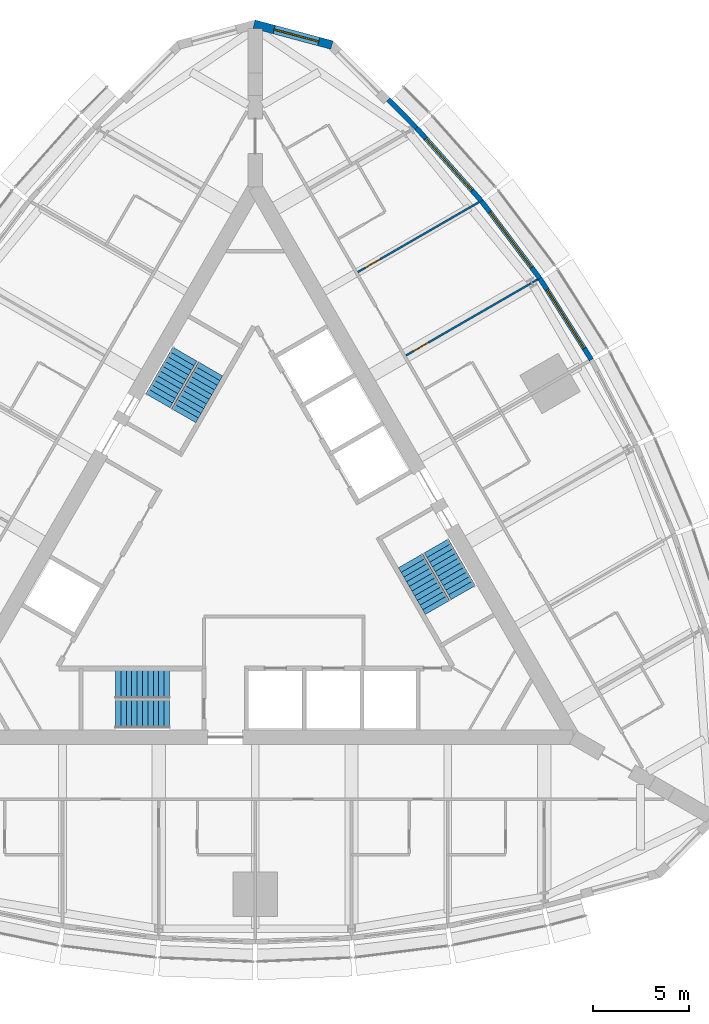
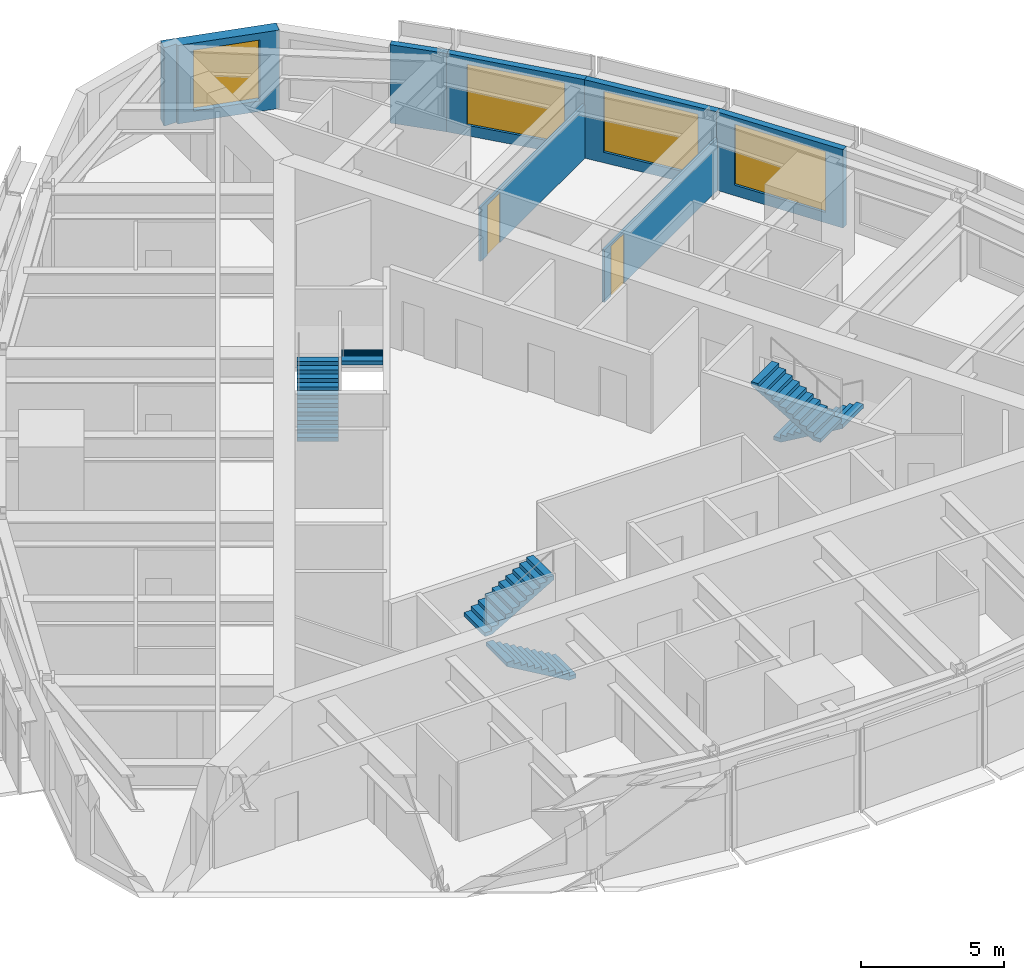
# One storey, part 14 of 15: 7 walls, 6 stair flights, 4 windows, 2 doors, 6 openings, 3 elements without a shape of their own.
"""IFC4 building model written with IfcOpenShell, lengths in metres."""

from ifc_helpers import new_model, si_unit, direction, frame, frame_2d, origin, place, context, subcontext, project, spatial, polyline, rectangle, outline, extrude, material, layer, layer_set, type_object, element, fill, aggregate, save


model = new_model("IFC4")

# Units and contexts
model_context = context("Model", 3, precision=1e-05, world=origin(), true_north=direction((0.0, 1.0)))
body_context = subcontext(model_context, "Body", "Model", "MODEL_VIEW")
ifc_project = project(units=[si_unit("LENGTHUNIT", "METRE"), si_unit("AREAUNIT", "SQUARE_METRE"), si_unit("VOLUMEUNIT", "CUBIC_METRE"), si_unit("PLANEANGLEUNIT", "RADIAN"), si_unit("MASSUNIT", "GRAM", prefix="KILO")], contexts=[model_context])

# Site, building, storey
site_placement = place(None, origin())
site = spatial("IfcSite", under=ifc_project, at=site_placement, CompositionType="ELEMENT")
building_placement = place(site_placement, origin())
building = spatial("IfcBuilding", under=site, at=building_placement, Name="Trikona Tower", CompositionType="ELEMENT")
storey_placement = place(building_placement, frame((0.0, 0.0, 229.699951171875)))
storey = spatial("IfcBuildingStorey", under=building, at=storey_placement, Name="L61", CompositionType="ELEMENT", Elevation=229.699951171875)

# Wall, opening, window
ifc_material_1 = material(Name="Brick-faced precast concrete", Category="masonry")
ifc_layer_1 = layer(ifc_material_1, 0.449951171875)
ifc_layer_set_1 = layer_set([ifc_layer_1], Name="Brick-faced corner wall 450")
wall_type_1 = type_object("IfcWallType", Name="Brick-faced corner wall 450", PredefinedType="SOLIDWALL", material=ifc_layer_set_1)
wall_1_placement = place(storey_placement, frame((3.9833984375, 26.41259765625, 0.0), z_axis=(0.0, 0.0, 1.0), x_axis=(-0.965920442324, 0.258839137498, 0.0)))
wall_1 = element("IfcWall", 1, at=wall_1_placement, inside=storey, type_object=wall_type_1, Name="External wall L61-21", PredefinedType="SOLIDWALL", context=body_context, shape_type="SweptSolid", body=[
    extrude(outline(polyline([(4.18408203125, 0.22509765625), (4.124267578125, 0.22509765625), (3.70556640625, 0.11279296875), (3.675537109375, 0.22509765625), (0.0, 0.22509765625), (0.0, -0.22509765625), (4.18408203125, -0.22509765625), (4.18408203125, 0.22509765625)])), origin(), (0.0, 0.0, 1.0), 3.35009765625),
])
opening_1_placement = place(wall_1_placement, frame((0.712646484375, 0.0, 0.449951171875)))
opening_1 = element("IfcOpeningElement", 2, at=opening_1_placement, cuts=wall_1, Name="Opening W2426", PredefinedType="OPENING", context=body_context, shape_type="SweptSolid", body=[
    extrude(rectangle(XDim=2.39990234375, YDim=2.60009765625, at=frame_2d((1.199951171875, 1.300048828125))), frame((0.0, 0.23486328125, 0.0), z_axis=(0.0, -1.0, 0.0), x_axis=(1.0, 0.0, 0.0)), (0.0, 0.0, 1.0), 0.469970703125),
])
ifc_material_2 = material(Name="Aluminium-framed double glazing", Category="aluminium")
window_type_1 = type_object("IfcWindowType", Name="Window 2400x2600", PartitioningType="SINGLE_PANEL", PredefinedType="WINDOW", material=ifc_material_2)
window_1_placement = place(opening_1_placement, origin())
window_1 = element("IfcWindow", 3, at=window_1_placement, inside=storey, type_object=window_type_1, Name="Window 6108", OverallHeight=2.60009765625, OverallWidth=2.39990234375, PartitioningType="SINGLE_PANEL", PredefinedType="WINDOW", context=body_context, shape_type="SweptSolid", body=[
    extrude(rectangle(XDim=2.39990234375, YDim=2.60009765625, at=frame_2d((1.199951171875, 1.300048828125))), frame((0.0, 0.030029296875, 0.0), z_axis=(0.0, -1.0, 0.0), x_axis=(1.0, 0.0, 0.0)), (0.0, 0.0, 1.0), 0.06005859375),
])
fill(opening_1, window_1)

ifc_material_3 = material(Name="Insulated precast concrete spandrel panel", Category="concrete")
ifc_layer_2 = layer(ifc_material_3, 0.25)
ifc_layer_set_2 = layer_set([ifc_layer_2], Name="Inner skin wall 250")
wall_type_2 = type_object("IfcWallType", Name="Inner skin wall 250", PredefinedType="STANDARD", material=ifc_layer_set_2)
wall_2_placement = place(storey_placement, frame((17.45556640625, 10.072021484375, 0.0), z_axis=(0.0, 0.0, 1.0), x_axis=(-0.535220361449, 0.844712474568, 0.0)))
wall_2 = element("IfcWall", 4, at=wall_2_placement, inside=storey, type_object=wall_type_2, Name="External wall L61-16", PredefinedType="STANDARD", context=body_context, shape_type="SweptSolid", body=[
    extrude(rectangle(XDim=5.00439453125, YDim=0.25, at=frame_2d((2.502197265625, 0.0))), origin(), (0.0, 0.0, 1.0), 3.35009765625),
])
opening_2_placement = place(wall_2_placement, frame((0.7021484375, 0.0, 0.449951171875)))
opening_2 = element("IfcOpeningElement", 5, at=opening_2_placement, cuts=wall_2, Name="Opening W3626", PredefinedType="OPENING", context=body_context, shape_type="SweptSolid", body=[
    extrude(rectangle(XDim=3.60009765625, YDim=2.60009765625, at=frame_2d((1.800048828125, 1.300048828125))), frame((0.0, 0.135009765625, 0.0), z_axis=(0.0, -1.0, 0.0), x_axis=(1.0, 0.0, 0.0)), (0.0, 0.0, 1.0), 0.27001953125),
])
ifc_material_4 = material(Name="Aluminium-framed double glazing", Category="aluminium")
window_type_2 = type_object("IfcWindowType", Name="Window 3600x2600", PartitioningType="SINGLE_PANEL", PredefinedType="WINDOW", material=ifc_material_4)
window_2_placement = place(opening_2_placement, origin())
window_2 = element("IfcWindow", 6, at=window_2_placement, inside=storey, type_object=window_type_2, Name="Window 6107.1", OverallHeight=2.60009765625, OverallWidth=3.60009765625, PartitioningType="SINGLE_PANEL", PredefinedType="WINDOW", context=body_context, shape_type="SweptSolid", body=[
    extrude(rectangle(XDim=3.60009765625, YDim=2.60009765625, at=frame_2d((1.800048828125, 1.300048828125))), frame((0.0, 0.030029296875, 0.0), z_axis=(0.0, -1.0, 0.0), x_axis=(1.0, 0.0, 0.0)), (0.0, 0.0, 1.0), 0.06005859375),
])
fill(opening_2, window_2)

wall_3_placement = place(storey_placement, frame((14.782958984375, 14.290771484375, 0.0), z_axis=(0.0, 0.0, 1.0), x_axis=(-0.602408653511, 0.798187831388, 0.0)))
wall_3 = element("IfcWall", 7, at=wall_3_placement, inside=storey, type_object=wall_type_2, Name="External wall L61-17", PredefinedType="STANDARD", context=body_context, shape_type="SweptSolid", body=[
    extrude(rectangle(XDim=5.037841796875, YDim=0.25, at=frame_2d((2.51904296875, 0.0))), origin(), (0.0, 0.0, 1.0), 3.35009765625),
])
opening_3_placement = place(wall_3_placement, frame((0.718994140625, 0.0, 0.449951171875)))
opening_3 = element("IfcOpeningElement", 8, at=opening_3_placement, cuts=wall_3, Name="Opening W3626", PredefinedType="OPENING", context=body_context, shape_type="SweptSolid", body=[
    extrude(rectangle(XDim=3.60009765625, YDim=2.60009765625, at=frame_2d((1.800048828125, 1.300048828125))), frame((0.0, 0.135009765625, 0.0), z_axis=(0.0, -1.0, 0.0), x_axis=(1.0, 0.0, 0.0)), (0.0, 0.0, 1.0), 0.27001953125),
])
window_3_placement = place(opening_3_placement, origin())
window_3 = element("IfcWindow", 9, at=window_3_placement, inside=storey, type_object=window_type_2, Name="Window 6107", OverallHeight=2.60009765625, OverallWidth=3.60009765625, PartitioningType="SINGLE_PANEL", PredefinedType="WINDOW", context=body_context, shape_type="SweptSolid", body=[
    extrude(rectangle(XDim=3.60009765625, YDim=2.60009765625, at=frame_2d((1.800048828125, 1.300048828125))), frame((0.0, 0.030029296875, 0.0), z_axis=(0.0, -1.0, 0.0), x_axis=(1.0, 0.0, 0.0)), (0.0, 0.0, 1.0), 0.06005859375),
])
fill(opening_3, window_3)

wall_4_placement = place(storey_placement, frame((11.75439453125, 18.304443359375, 0.0), z_axis=(0.0, 0.0, 1.0), x_axis=(-0.664348996191, 0.747422511876, 0.0)))
wall_4 = element("IfcWall", 10, at=wall_4_placement, inside=storey, type_object=wall_type_2, Name="External wall L61-18", PredefinedType="STANDARD", context=body_context, shape_type="SweptSolid", body=[
    extrude(rectangle(XDim=5.104736328125, YDim=0.25, at=frame_2d((2.55224609375, 0.0))), origin(), (0.0, 0.0, 1.0), 3.35009765625),
])
opening_4_placement = place(wall_4_placement, frame((0.75244140625, 0.0, 0.449951171875)))
opening_4 = element("IfcOpeningElement", 11, at=opening_4_placement, cuts=wall_4, Name="Opening W3626", PredefinedType="OPENING", context=body_context, shape_type="SweptSolid", body=[
    extrude(rectangle(XDim=3.60009765625, YDim=2.60009765625, at=frame_2d((1.800048828125, 1.300048828125))), frame((0.0, 0.135009765625, 0.0), z_axis=(0.0, -1.0, 0.0), x_axis=(1.0, 0.0, 0.0)), (0.0, 0.0, 1.0), 0.27001953125),
])
window_4_placement = place(opening_4_placement, origin())
window_4 = element("IfcWindow", 12, at=window_4_placement, inside=storey, type_object=window_type_2, Name="Window 6107.2", OverallHeight=2.60009765625, OverallWidth=3.60009765625, PartitioningType="SINGLE_PANEL", PredefinedType="WINDOW", context=body_context, shape_type="SweptSolid", body=[
    extrude(rectangle(XDim=3.60009765625, YDim=2.60009765625, at=frame_2d((1.800048828125, 1.300048828125))), frame((0.0, 0.030029296875, 0.0), z_axis=(0.0, -1.0, 0.0), x_axis=(1.0, 0.0, 0.0)), (0.0, 0.0, 1.0), 0.06005859375),
])
fill(opening_4, window_4)

# Wall
wall_5_placement = place(storey_placement, frame((8.36767578125, 22.11474609375, 0.0), z_axis=(0.0, 0.0, 1.0), x_axis=(-0.704149946111, 0.710051303352, 0.0)))
element("IfcWall", 13, at=wall_5_placement, inside=storey, type_object=wall_type_2, Name="External wall L61-19", PredefinedType="STANDARD", context=body_context, shape_type="SweptSolid", body=[
    extrude(rectangle(XDim=2.068603515625, YDim=0.25, at=frame_2d((1.0341796875, 0.0))), origin(), (0.0, 0.0, 1.0), 3.35009765625),
])

# Wall, opening, door
ifc_material_5 = material(Name="Metal stud and gypsum board, acoustic", Category="gypsum")
ifc_layer_3 = layer(ifc_material_5, 0.10009765625)
ifc_layer_set_3 = layer_set([ifc_layer_3], Name="Suite partition 100")
wall_type_3 = type_object("IfcWallType", Name="Suite partition 100", PredefinedType="PARTITIONING", material=ifc_layer_set_3)
wall_6_placement = place(storey_placement, frame((7.82861328125, 10.293212890625, 0.0), z_axis=(0.0, 0.0, 1.0), x_axis=(0.866030558329, 0.49999107196, 0.0)))
wall_6 = element("IfcWall", 14, at=wall_6_placement, inside=storey, type_object=wall_type_3, Name="Suite partition L61 F2 u5", PredefinedType="PARTITIONING", context=body_context, shape_type="SweptSolid", body=[
    extrude(rectangle(XDim=7.893798828125, YDim=0.10009765625, at=frame_2d((3.94677734375, 0.0))), origin(), (0.0, 0.0, 1.0), 2.25),
])
opening_5_placement = place(wall_6_placement, frame((0.449951171875, 0.0, 0.0)))
opening_5 = element("IfcOpeningElement", 15, at=opening_5_placement, cuts=wall_6, Name="Opening D13", PredefinedType="OPENING", context=body_context, shape_type="SweptSolid", body=[
    extrude(rectangle(XDim=0.89990234375, YDim=2.1298828125, at=frame_2d((0.449951171875, 1.06494140625))), frame((0.0, 0.06005859375, 0.0), z_axis=(0.0, -1.0, 0.0), x_axis=(1.0, 0.0, 0.0)), (0.0, 0.0, 1.0), 0.1201171875),
])
ifc_material_6 = material(Name="Steel door frame with solid-core timber leaf", Category="steel")
door_type = type_object("IfcDoorType", Name="Suite door 900x2130", OperationType="SINGLE_SWING_LEFT", PredefinedType="DOOR", material=ifc_material_6)
door_1_placement = place(opening_5_placement, origin())
door_1 = element("IfcDoor", 16, at=door_1_placement, inside=storey, type_object=door_type, Name="Suite door 6107", OperationType="SINGLE_SWING_LEFT", OverallHeight=2.1298828125, OverallWidth=0.89990234375, PredefinedType="DOOR", context=body_context, shape_type="SweptSolid", body=[
    extrude(rectangle(XDim=0.89990234375, YDim=2.1298828125, at=frame_2d((0.449951171875, 1.06494140625))), frame((0.0, 0.02490234375, 0.0), z_axis=(0.0, -1.0, 0.0), x_axis=(1.0, 0.0, 0.0)), (0.0, 0.0, 1.0), 0.050048828125),
])
fill(opening_5, door_1)

wall_7_placement = place(storey_placement, frame((5.32861328125, 14.623291015625, 0.0), z_axis=(0.0, 0.0, 1.0), x_axis=(0.866017877653, 0.500013035415, 0.0)))
wall_7 = element("IfcWall", 17, at=wall_7_placement, inside=storey, type_object=wall_type_3, Name="Suite partition L61 F2 u10", PredefinedType="PARTITIONING", context=body_context, shape_type="SweptSolid", body=[
    extrude(rectangle(XDim=7.272705078125, YDim=0.10009765625, at=frame_2d((3.63623046875, 0.0))), origin(), (0.0, 0.0, 1.0), 2.30859375),
])
opening_6_placement = place(wall_7_placement, frame((0.449951171875, 0.0, 0.0)))
opening_6 = element("IfcOpeningElement", 18, at=opening_6_placement, cuts=wall_7, Name="Opening D13", PredefinedType="OPENING", context=body_context, shape_type="SweptSolid", body=[
    extrude(rectangle(XDim=0.89990234375, YDim=2.1298828125, at=frame_2d((0.449951171875, 1.06494140625))), frame((0.0, 0.06005859375, 0.0), z_axis=(0.0, -1.0, 0.0), x_axis=(1.0, 0.0, 0.0)), (0.0, 0.0, 1.0), 0.1201171875),
])
door_2_placement = place(opening_6_placement, origin())
door_2 = element("IfcDoor", 19, at=door_2_placement, inside=storey, type_object=door_type, Name="Suite door 6107", OperationType="SINGLE_SWING_LEFT", OverallHeight=2.1298828125, OverallWidth=0.89990234375, PredefinedType="DOOR", context=body_context, shape_type="SweptSolid", body=[
    extrude(rectangle(XDim=0.89990234375, YDim=2.1298828125, at=frame_2d((0.449951171875, 1.06494140625))), frame((0.0, 0.02490234375, 0.0), z_axis=(0.0, -1.0, 0.0), x_axis=(1.0, 0.0, 0.0)), (0.0, 0.0, 1.0), 0.050048828125),
])
fill(opening_6, door_2)

# Stair, stair flights
ifc_material_7 = material(Name="Concrete f'c 5000 psi", Category="concrete")
stair_type = type_object("IfcStairType", Name="Core stair", PredefinedType="HALF_TURN_STAIR", material=ifc_material_7)
stair_1_placement = place(storey_placement, origin())
stair_1 = element("IfcStair", 20, at=stair_1_placement, inside=storey, type_object=stair_type, Name="Stair A L61", PredefinedType="HALF_TURN_STAIR")
ifc_material_8 = material(Name="Concrete f'c 5000 psi", Category="concrete")
stair_flight_type = type_object("IfcStairFlightType", Name="Core stair flight 1450", PredefinedType="STRAIGHT", material=ifc_material_8)
stair_flight_1_placement = place(storey_placement, frame((-4.449951171875, -8.351318359375, 0.0), z_axis=(0.0, 0.0, 1.0), x_axis=(-1.0, 0.0, 0.0)))
stair_flight_1 = element("IfcStairFlight", 21, at=stair_flight_1_placement, type_object=stair_flight_type, Name="ST-A flight 1", NumberOfRisers=11, NumberOfTreads=10, PredefinedType="STRAIGHT", RiserHeight=0.163636, TreadLength=0.28, context=body_context, shape_type="SweptSolid", body=[
    extrude(outline(polyline([(0.0, 0.0), (0.0, 0.16357421875), (0.280029296875, 0.16357421875), (0.280029296875, 0.327392578125), (0.56005859375, 0.327392578125), (0.56005859375, 0.490966796875), (0.840087890625, 0.490966796875), (0.840087890625, 0.654541015625), (1.1201171875, 0.654541015625), (1.1201171875, 0.818115234375), (1.39990234375, 0.818115234375), (1.39990234375, 0.98193359375), (1.679931640625, 0.98193359375), (1.679931640625, 1.1455078125), (1.9599609375, 1.1455078125), (1.9599609375, 1.30908203125), (2.239990234375, 1.30908203125), (2.239990234375, 1.47265625), (2.52001953125, 1.47265625), (2.52001953125, 1.636474609375), (2.800048828125, 1.636474609375), (2.800048828125, 1.800048828125), (2.800048828125, 1.462646484375), (0.297119140625, 0.0), (0.0, 0.0)])), frame((0.0, 0.72509765625, 0.0), z_axis=(0.0, -1.0, 0.0), x_axis=(1.0, 0.0, 0.0)), (0.0, 0.0, 1.0), 1.449951171875),
])
stair_flight_2_placement = place(storey_placement, frame((-7.25, -6.80126953125, 1.800048828125), z_axis=(0.0, 0.0, 1.0), x_axis=(1.0, 0.0, 0.0)))
stair_flight_2 = element("IfcStairFlight", 22, at=stair_flight_2_placement, type_object=stair_flight_type, Name="ST-A flight 2", NumberOfRisers=11, NumberOfTreads=10, PredefinedType="STRAIGHT", RiserHeight=0.163636, TreadLength=0.28, context=body_context, shape_type="SweptSolid", body=[
    extrude(outline(polyline([(0.0, 0.0), (0.0, 0.16357421875), (0.280029296875, 0.16357421875), (0.280029296875, 0.327392578125), (0.56005859375, 0.327392578125), (0.56005859375, 0.490966796875), (0.840087890625, 0.490966796875), (0.840087890625, 0.654541015625), (1.1201171875, 0.654541015625), (1.1201171875, 0.818115234375), (1.39990234375, 0.818115234375), (1.39990234375, 0.98193359375), (1.679931640625, 0.98193359375), (1.679931640625, 1.1455078125), (1.9599609375, 1.1455078125), (1.9599609375, 1.30908203125), (2.239990234375, 1.30908203125), (2.239990234375, 1.47265625), (2.52001953125, 1.47265625), (2.52001953125, 1.636474609375), (2.800048828125, 1.636474609375), (2.800048828125, 1.800048828125), (2.800048828125, 1.462646484375), (0.297119140625, 0.0), (0.0, 0.0)])), frame((0.0, 0.72509765625, 0.0), z_axis=(0.0, -1.0, 0.0), x_axis=(1.0, 0.0, 0.0)), (0.0, 0.0, 1.0), 1.449951171875),
])
aggregate(stair_1, [stair_flight_1, stair_flight_2])

stair_2_placement = place(storey_placement, origin())
stair_2 = element("IfcStair", 23, at=stair_2_placement, inside=storey, type_object=stair_type, Name="Stair B L61", PredefinedType="HALF_TURN_STAIR")
stair_flight_3_placement = place(storey_placement, frame((9.407470703125, 0.408447265625, 0.0), z_axis=(0.0, 0.0, 1.0), x_axis=(0.5, -0.866025403784, 0.0)))
stair_flight_3 = element("IfcStairFlight", 24, at=stair_flight_3_placement, type_object=stair_flight_type, Name="ST-B flight 1", NumberOfRisers=11, NumberOfTreads=10, PredefinedType="STRAIGHT", RiserHeight=0.163636, TreadLength=0.28, context=body_context, shape_type="SweptSolid", body=[
    extrude(outline(polyline([(0.0, 0.0), (0.0, 0.16357421875), (0.280029296875, 0.16357421875), (0.280029296875, 0.327392578125), (0.56005859375, 0.327392578125), (0.56005859375, 0.490966796875), (0.840087890625, 0.490966796875), (0.840087890625, 0.654541015625), (1.1201171875, 0.654541015625), (1.1201171875, 0.818115234375), (1.39990234375, 0.818115234375), (1.39990234375, 0.98193359375), (1.679931640625, 0.98193359375), (1.679931640625, 1.1455078125), (1.9599609375, 1.1455078125), (1.9599609375, 1.30908203125), (2.239990234375, 1.30908203125), (2.239990234375, 1.47265625), (2.52001953125, 1.47265625), (2.52001953125, 1.636474609375), (2.800048828125, 1.636474609375), (2.800048828125, 1.800048828125), (2.800048828125, 1.462646484375), (0.297119140625, 0.0), (0.0, 0.0)])), frame((0.0, 0.72509765625, 0.0), z_axis=(0.0, -1.0, 0.0), x_axis=(1.0, 0.0, 0.0)), (0.0, 0.0, 1.0), 1.449951171875),
])
stair_flight_4_placement = place(storey_placement, frame((9.465087890625, -2.79150390625, 1.800048828125), z_axis=(0.0, 0.0, 1.0), x_axis=(-0.5, 0.866025403784, 0.0)))
stair_flight_4 = element("IfcStairFlight", 25, at=stair_flight_4_placement, type_object=stair_flight_type, Name="ST-B flight 2", NumberOfRisers=11, NumberOfTreads=10, PredefinedType="STRAIGHT", RiserHeight=0.163636, TreadLength=0.28, context=body_context, shape_type="SweptSolid", body=[
    extrude(outline(polyline([(0.0, 0.0), (0.0, 0.16357421875), (0.280029296875, 0.16357421875), (0.280029296875, 0.327392578125), (0.56005859375, 0.327392578125), (0.56005859375, 0.490966796875), (0.840087890625, 0.490966796875), (0.840087890625, 0.654541015625), (1.1201171875, 0.654541015625), (1.1201171875, 0.818115234375), (1.39990234375, 0.818115234375), (1.39990234375, 0.98193359375), (1.679931640625, 0.98193359375), (1.679931640625, 1.1455078125), (1.9599609375, 1.1455078125), (1.9599609375, 1.30908203125), (2.239990234375, 1.30908203125), (2.239990234375, 1.47265625), (2.52001953125, 1.47265625), (2.52001953125, 1.636474609375), (2.800048828125, 1.636474609375), (2.800048828125, 1.800048828125), (2.800048828125, 1.462646484375), (0.297119140625, 0.0), (0.0, 0.0)])), frame((0.0, 0.72509765625, 0.0), z_axis=(0.0, -1.0, 0.0), x_axis=(1.0, 0.0, 0.0)), (0.0, 0.0, 1.0), 1.449951171875),
])
aggregate(stair_2, [stair_flight_3, stair_flight_4])

stair_3_placement = place(storey_placement, origin())
stair_3 = element("IfcStair", 26, at=stair_3_placement, inside=storey, type_object=stair_type, Name="Stair C L61", PredefinedType="HALF_TURN_STAIR")
stair_flight_5_placement = place(storey_placement, frame((-5.057373046875, 7.94287109375, 0.0), z_axis=(0.0, 0.0, 1.0), x_axis=(0.5, 0.866025403784, 0.0)))
stair_flight_5 = element("IfcStairFlight", 27, at=stair_flight_5_placement, type_object=stair_flight_type, Name="ST-C flight 1", NumberOfRisers=11, NumberOfTreads=10, PredefinedType="STRAIGHT", RiserHeight=0.163636, TreadLength=0.28, context=body_context, shape_type="SweptSolid", body=[
    extrude(outline(polyline([(0.0, 0.0), (0.0, 0.16357421875), (0.280029296875, 0.16357421875), (0.280029296875, 0.327392578125), (0.56005859375, 0.327392578125), (0.56005859375, 0.490966796875), (0.840087890625, 0.490966796875), (0.840087890625, 0.654541015625), (1.1201171875, 0.654541015625), (1.1201171875, 0.818115234375), (1.39990234375, 0.818115234375), (1.39990234375, 0.98193359375), (1.679931640625, 0.98193359375), (1.679931640625, 1.1455078125), (1.9599609375, 1.1455078125), (1.9599609375, 1.30908203125), (2.239990234375, 1.30908203125), (2.239990234375, 1.47265625), (2.52001953125, 1.47265625), (2.52001953125, 1.636474609375), (2.800048828125, 1.636474609375), (2.800048828125, 1.800048828125), (2.800048828125, 1.462646484375), (0.297119140625, 0.0), (0.0, 0.0)])), frame((0.0, 0.72509765625, 0.0), z_axis=(0.0, -1.0, 0.0), x_axis=(1.0, 0.0, 0.0)), (0.0, 0.0, 1.0), 1.449951171875),
])
stair_flight_6_placement = place(storey_placement, frame((-2.315185546875, 9.5927734375, 1.800048828125), z_axis=(0.0, 0.0, 1.0), x_axis=(-0.5, -0.866025403784, 0.0)))
stair_flight_6 = element("IfcStairFlight", 28, at=stair_flight_6_placement, type_object=stair_flight_type, Name="ST-C flight 2", NumberOfRisers=11, NumberOfTreads=10, PredefinedType="STRAIGHT", RiserHeight=0.163636, TreadLength=0.28, context=body_context, shape_type="SweptSolid", body=[
    extrude(outline(polyline([(0.0, 0.0), (0.0, 0.16357421875), (0.280029296875, 0.16357421875), (0.280029296875, 0.327392578125), (0.56005859375, 0.327392578125), (0.56005859375, 0.490966796875), (0.840087890625, 0.490966796875), (0.840087890625, 0.654541015625), (1.1201171875, 0.654541015625), (1.1201171875, 0.818115234375), (1.39990234375, 0.818115234375), (1.39990234375, 0.98193359375), (1.679931640625, 0.98193359375), (1.679931640625, 1.1455078125), (1.9599609375, 1.1455078125), (1.9599609375, 1.30908203125), (2.239990234375, 1.30908203125), (2.239990234375, 1.47265625), (2.52001953125, 1.47265625), (2.52001953125, 1.636474609375), (2.800048828125, 1.636474609375), (2.800048828125, 1.800048828125), (2.800048828125, 1.462646484375), (0.297119140625, 0.0), (0.0, 0.0)])), frame((0.0, 0.72509765625, 0.0), z_axis=(0.0, -1.0, 0.0), x_axis=(1.0, 0.0, 0.0)), (0.0, 0.0, 1.0), 1.449951171875),
])
aggregate(stair_3, [stair_flight_5, stair_flight_6])

save(model, "model.ifc")
